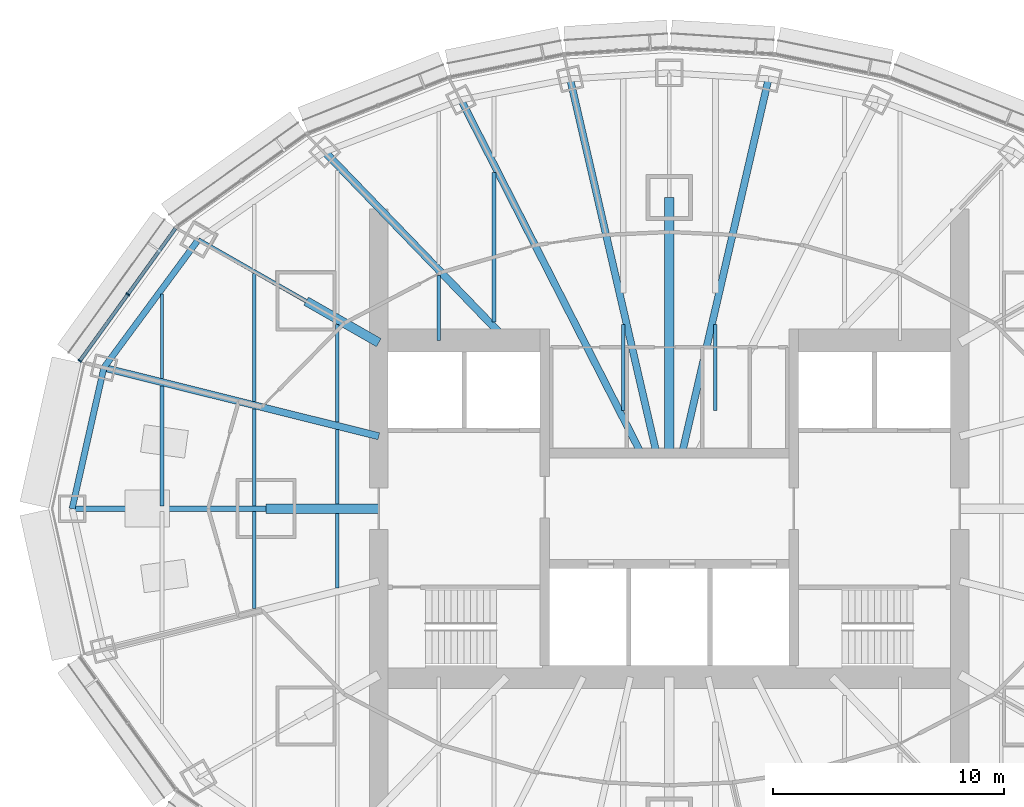
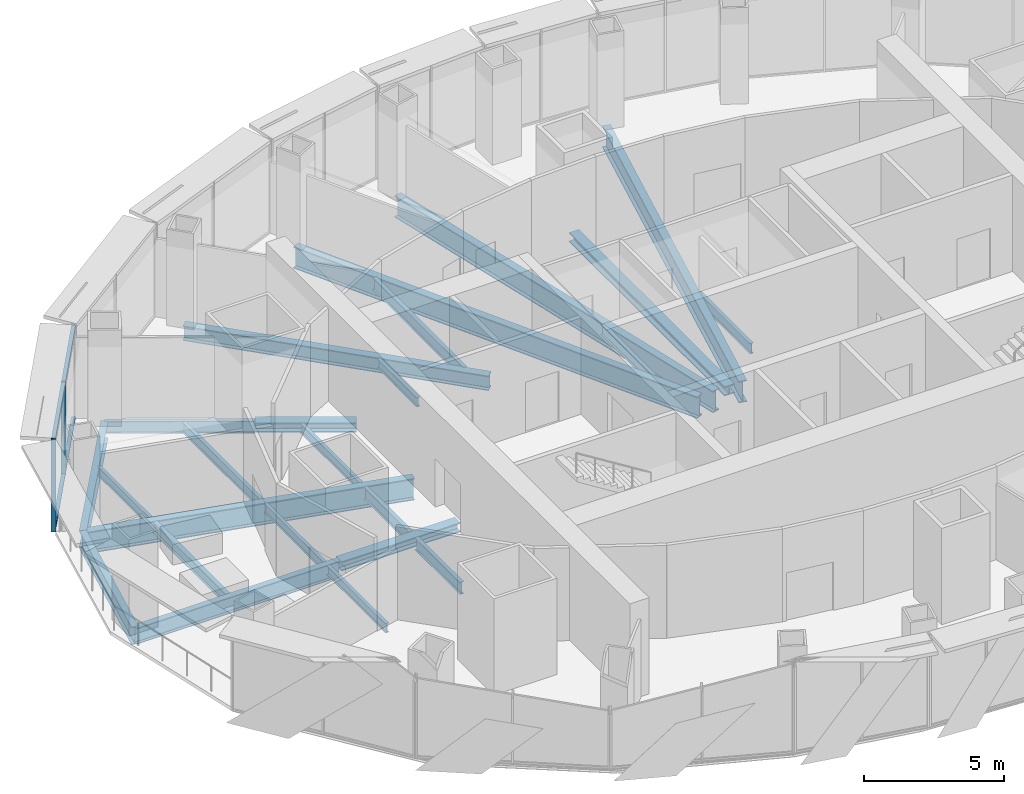
# One storey, part 4 of 16: 24 beams, 6 members, 1 element without a shape of its own.
"""IFC4 building model written with IfcOpenShell, lengths in metres."""

from ifc_helpers import new_model, si_unit, direction, frame, origin, origin_2d, place, context, subcontext, project, spatial, rectangle, i_section, extrude, material, material_profile, profile_set, type_object, element, aggregate, save


model = new_model("IFC4")

# Units and contexts
model_context = context("Model", 3, precision=1e-05, world=origin(), true_north=direction((0.0, 1.0)))
body_context = subcontext(model_context, "Body", "Model", "MODEL_VIEW")
ifc_project = project(units=[si_unit("LENGTHUNIT", "METRE"), si_unit("AREAUNIT", "SQUARE_METRE"), si_unit("VOLUMEUNIT", "CUBIC_METRE"), si_unit("PLANEANGLEUNIT", "RADIAN"), si_unit("MASSUNIT", "GRAM", prefix="KILO")], contexts=[model_context])

# Site, building, storey
site_placement = place(None, origin())
site = spatial("IfcSite", under=ifc_project, at=site_placement, CompositionType="ELEMENT")
building_placement = place(site_placement, origin())
building = spatial("IfcBuilding", under=site, at=building_placement, Name="Lantaw Convention Tower", CompositionType="ELEMENT")
storey_placement = place(building_placement, frame((0.0, 0.0, 232.60009765625)))
storey = spatial("IfcBuildingStorey", under=building, at=storey_placement, Name="L54", CompositionType="ELEMENT", Elevation=232.60009765625)

# Beams
ifc_material_1 = material(Name="Steel ASTM A992", Category="steel")
ifc_material_profile_1 = material_profile(ifc_material_1, i_section(OverallWidth=0.2666015625, OverallDepth=0.76953125, WebThickness=0.015625, FlangeThickness=0.025390625, FilletRadius=0.0126953125, at=origin_2d()), Name="W30X132")
ifc_profile_set_1 = profile_set([ifc_material_profile_1], Name="Steel ASTM A992")
beam_type_1 = type_object("IfcBeamType", Name="Beam E W30X132", PredefinedType="SPANDREL", material=ifc_profile_set_1)
beam_1_placement = place(storey_placement, frame((-20.423095703125, 11.67041015625, -0.534912109375), z_axis=(-0.593639188853, -0.804731329984, 0.0), x_axis=(0.804731329984, -0.593639188853, 0.0)))
element("IfcBeam", 1, at=beam_1_placement, inside=storey, type_object=beam_type_1, Name="Edge beam 11", PredefinedType="SPANDREL", context=body_context, shape_type="SweptSolid", body=[
    extrude(i_section(OverallWidth=0.2666015625, OverallDepth=0.76953125, WebThickness=0.015625, FlangeThickness=0.025390625, FilletRadius=0.0126953125, at=origin_2d()), origin(), (0.0, 0.0, 1.0), 6.904541015625),
])
beam_2_placement = place(storey_placement, frame((-24.52197265625, 6.114013671875, -0.534912109375), z_axis=(-0.219857926596, -0.97553190215, 0.0), x_axis=(0.97553190215, -0.219857926596, 0.0)))
element("IfcBeam", 2, at=beam_2_placement, inside=storey, type_object=beam_type_1, Name="Edge beam 12", PredefinedType="SPANDREL", context=body_context, shape_type="SweptSolid", body=[
    extrude(i_section(OverallWidth=0.2666015625, OverallDepth=0.76953125, WebThickness=0.015625, FlangeThickness=0.025390625, FilletRadius=0.0126953125, at=origin_2d()), origin(), (0.0, 0.0, 1.0), 6.267333984375),
])
ifc_material_profile_2 = material_profile(ifc_material_1, i_section(OverallWidth=0.1650390625, OverallDepth=0.52587890625, WebThickness=0.0087890625, FlangeThickness=0.011474609375, FilletRadius=0.0126953125, at=origin_2d()), Name="W21X44")
ifc_profile_set_2 = profile_set([ifc_material_profile_2], Name="Steel ASTM A992")
beam_type_2 = type_object("IfcBeamType", Name="Beam G W21X44", PredefinedType="BEAM", material=ifc_profile_set_2)
beam_3_placement = place(storey_placement, frame((-15.75, 9.0, -0.4130859375), z_axis=(-0.868237559289, 0.496148708192, 0.0), x_axis=(-0.496148708192, -0.868237559289, 0.0)))
element("IfcBeam", 3, at=beam_3_placement, inside=storey, type_object=beam_type_2, Name="Floor girder on ray 11", PredefinedType="BEAM", context=body_context, shape_type="SweptSolid", body=[
    extrude(i_section(OverallWidth=0.1650390625, OverallDepth=0.52587890625, WebThickness=0.0087890625, FlangeThickness=0.011474609375, FilletRadius=0.0126953125, at=origin_2d()), origin(), (0.0, 0.0, 1.0), 5.38232421875),
])
ifc_material_profile_3 = material_profile(ifc_material_1, i_section(OverallWidth=0.32763671875, OverallDepth=0.64013671875, WebThickness=0.01904296875, FlangeThickness=0.033935546875, FilletRadius=0.0126953125, at=origin_2d()), Name="W24X176")
ifc_profile_set_3 = profile_set([ifc_material_profile_3], Name="Steel ASTM A992")
beam_type_3 = type_object("IfcBeamType", Name="Beam G W24X176", PredefinedType="BEAM", material=ifc_profile_set_3)
beam_4_placement = place(storey_placement, frame((-7.049560546875, 7.300048828125, -0.47021484375), z_axis=(-0.694657766726, 0.719340383356, 0.0), x_axis=(-0.719340383356, -0.694657766726, 0.0)))
element("IfcBeam", 4, at=beam_4_placement, inside=storey, type_object=beam_type_3, Name="Floor girder on ray 10", PredefinedType="BEAM", context=body_context, shape_type="SweptSolid", body=[
    extrude(i_section(OverallWidth=0.32763671875, OverallDepth=0.64013671875, WebThickness=0.01904296875, FlangeThickness=0.033935546875, FilletRadius=0.0126953125, at=origin_2d()), origin(), (0.0, 0.0, 1.0), 11.364990234375),
])
ifc_material_profile_4 = material_profile(ifc_material_1, i_section(OverallWidth=0.25390625, OverallDepth=0.700927734375, WebThickness=0.015380859375, FlangeThickness=0.02783203125, FilletRadius=0.01513671875, at=origin_2d()), Name="W27X129")
ifc_profile_set_4 = profile_set([ifc_material_profile_4], Name="Steel ASTM A992")
beam_type_4 = type_object("IfcBeamType", Name="Beam G W27X129", PredefinedType="BEAM", material=ifc_profile_set_4)
beam_5_placement = place(storey_placement, frame((-17.5, 0.0, -0.500732421875), z_axis=(-1.0, 0.0, 0.0), x_axis=(0.0, -1.0, 0.0)))
element("IfcBeam", 5, at=beam_5_placement, inside=storey, type_object=beam_type_4, Name="Floor girder on ray 13", PredefinedType="BEAM", context=body_context, shape_type="SweptSolid", body=[
    extrude(i_section(OverallWidth=0.25390625, OverallDepth=0.700927734375, WebThickness=0.015380859375, FlangeThickness=0.02783203125, FilletRadius=0.01513671875, at=origin_2d()), origin(), (0.0, 0.0, 1.0), 8.39990234375),
])
ifc_material_profile_5 = material_profile(ifc_material_1, i_section(OverallWidth=0.307373046875, OverallDepth=0.9423828125, WebThickness=0.022216796875, FlangeThickness=0.039794921875, FilletRadius=0.0126953125, at=origin_2d()), Name="W36X232")
ifc_profile_set_5 = profile_set([ifc_material_profile_5], Name="Steel ASTM A992")
beam_type_5 = type_object("IfcBeamType", Name="Beam G W36X232", PredefinedType="BEAM", material=ifc_profile_set_5)
for number, where, z_axis, x_axis, name in (
    (6, (0.55419921875, 2.39990234375, -0.621337890625), (0.224948287002, 0.974370703672, 0.0), (-0.974370703672, 0.224948287002, 0.0), "Floor girder on ray 6"),
    (7, (-0.55419921875, 2.39990234375, -0.621337890625), (-0.224948287002, 0.974370703672, 0.0), (-0.974370703672, -0.224948287002, 0.0), "Floor girder on ray 8"),
):
    element("IfcBeam", number, at=place(storey_placement, frame(where, z_axis=z_axis, x_axis=x_axis)), inside=storey, type_object=beam_type_5, Name=name, PredefinedType="BEAM", context=body_context, shape_type="SweptSolid", body=[
        extrude(i_section(OverallWidth=0.307373046875, OverallDepth=0.9423828125, WebThickness=0.022216796875, FlangeThickness=0.039794921875, FilletRadius=0.0126953125, at=origin_2d()), origin(), (0.0, 0.0, 1.0), 16.66943359375),
    ])
beam_6_placement = place(storey_placement, frame((-1.222900390625, 2.39990234375, -0.621337890625), z_axis=(-0.453988481463, 0.891007552549, 0.0), x_axis=(-0.891007552549, -0.453988481463, 0.0)))
element("IfcBeam", 8, at=beam_6_placement, inside=storey, type_object=beam_type_5, Name="Floor girder on ray 9", PredefinedType="BEAM", context=body_context, shape_type="SweptSolid", body=[
    extrude(i_section(OverallWidth=0.307373046875, OverallDepth=0.9423828125, WebThickness=0.022216796875, FlangeThickness=0.039794921875, FilletRadius=0.0126953125, at=origin_2d()), origin(), (0.0, 0.0, 1.0), 17.20703125),
])
beam_7_placement = place(storey_placement, frame((-12.60009765625, 3.1416015625, -0.621337890625), z_axis=(-0.970296589314, 0.241918434119, 0.0), x_axis=(-0.241918434119, -0.970296589314, 0.0)))
element("IfcBeam", 9, at=beam_7_placement, inside=storey, type_object=beam_type_5, Name="Floor girder on ray 12", PredefinedType="BEAM", context=body_context, shape_type="SweptSolid", body=[
    extrude(i_section(OverallWidth=0.307373046875, OverallDepth=0.9423828125, WebThickness=0.022216796875, FlangeThickness=0.039794921875, FilletRadius=0.0126953125, at=origin_2d()), origin(), (0.0, 0.0, 1.0), 12.286865234375),
])
ifc_material_profile_6 = material_profile(ifc_material_1, i_section(OverallWidth=0.40380859375, OverallDepth=0.406494140625, WebThickness=0.027099609375, FlangeThickness=0.043701171875, FilletRadius=0.01513671875, at=origin_2d()), Name="W14X233")
ifc_profile_set_6 = profile_set([ifc_material_profile_6], Name="Steel ASTM A992")
beam_type_6 = type_object("IfcBeamType", Name="Beam GM W14X233", PredefinedType="BEAM", material=ifc_profile_set_6)
beam_8_placement = place(storey_placement, frame((0.0, 2.39990234375, -0.353271484375), z_axis=(0.0, 1.0, 0.0), x_axis=(-1.0, 0.0, 0.0)))
element("IfcBeam", 10, at=beam_8_placement, inside=storey, type_object=beam_type_6, Name="Core link beam on ray 7", PredefinedType="BEAM", context=body_context, shape_type="SweptSolid", body=[
    extrude(i_section(OverallWidth=0.40380859375, OverallDepth=0.406494140625, WebThickness=0.027099609375, FlangeThickness=0.043701171875, FilletRadius=0.01513671875, at=origin_2d()), origin(), (0.0, 0.0, 1.0), 11.10009765625),
])
beam_9_placement = place(storey_placement, frame((-12.60009765625, 7.199951171875, -0.353271484375), z_axis=(-0.868230718294, 0.496160679428, 0.0), x_axis=(-0.496160679428, -0.868230718294, 0.0)))
element("IfcBeam", 11, at=beam_9_placement, inside=storey, type_object=beam_type_6, Name="Core link beam on ray 11", PredefinedType="BEAM", context=body_context, shape_type="SweptSolid", body=[
    extrude(i_section(OverallWidth=0.40380859375, OverallDepth=0.406494140625, WebThickness=0.027099609375, FlangeThickness=0.043701171875, FilletRadius=0.01513671875, at=origin_2d()), origin(), (0.0, 0.0, 1.0), 3.6279296875),
])
beam_10_placement = place(storey_placement, frame((-12.60009765625, 0.0, -0.353271484375), z_axis=(-1.0, 0.0, 0.0), x_axis=(0.0, -1.0, 0.0)))
element("IfcBeam", 12, at=beam_10_placement, inside=storey, type_object=beam_type_6, Name="Core link beam on ray 13", PredefinedType="BEAM", context=body_context, shape_type="SweptSolid", body=[
    extrude(i_section(OverallWidth=0.40380859375, OverallDepth=0.406494140625, WebThickness=0.027099609375, FlangeThickness=0.043701171875, FilletRadius=0.01513671875, at=origin_2d()), origin(), (0.0, 0.0, 1.0), 4.89990234375),
])
ifc_material_profile_7 = material_profile(ifc_material_1, i_section(OverallWidth=0.140380859375, OverallDepth=0.40380859375, WebThickness=0.007080078125, FlangeThickness=0.01123046875, FilletRadius=0.01025390625, at=origin_2d()), Name="W16X31")
ifc_profile_set_7 = profile_set([ifc_material_profile_7], Name="Steel ASTM A992")
beam_type_7 = type_object("IfcBeamType", Name="Beam J W16X31", PredefinedType="JOIST", material=ifc_profile_set_7)
beam_11_placement = place(storey_placement, frame((-22.0, 5.6435546875, -0.35205078125), z_axis=(0.0, 1.0, 0.0), x_axis=(-1.0, 0.0, 0.0)))
element("IfcBeam", 13, at=beam_11_placement, inside=storey, type_object=beam_type_7, Name="Floor joist", PredefinedType="JOIST", context=body_context, shape_type="SweptSolid", body=[
    extrude(i_section(OverallWidth=0.140380859375, OverallDepth=0.40380859375, WebThickness=0.007080078125, FlangeThickness=0.01123046875, FilletRadius=0.01025390625, at=origin_2d()), origin(), (0.0, 0.0, 1.0), 3.66455078125),
])
for number, where, z_axis, x_axis, name in (
    (14, (-18.0, -4.32958984375, -0.35205078125), (0.0, 1.0, 0.0), (-1.0, 0.0, 0.0), "Floor joist"),
    (15, (-18.0, 0.126953125, -0.35205078125), (0.0, 1.0, 0.0), (-1.0, 0.0, 0.0), "Floor joist"),
):
    element("IfcBeam", number, at=place(storey_placement, frame(where, z_axis=z_axis, x_axis=x_axis)), inside=storey, type_object=beam_type_7, Name=name, PredefinedType="JOIST", context=body_context, shape_type="SweptSolid", body=[
        extrude(i_section(OverallWidth=0.140380859375, OverallDepth=0.40380859375, WebThickness=0.007080078125, FlangeThickness=0.01123046875, FilletRadius=0.01025390625, at=origin_2d()), origin(), (0.0, 0.0, 1.0), 4.20263671875),
    ])
beam_12_placement = place(storey_placement, frame((-14.39990234375, 3.748779296875, -0.35205078125), z_axis=(0.0, 1.0, 0.0), x_axis=(-1.0, 0.0, 0.0)))
element("IfcBeam", 16, at=beam_12_placement, inside=storey, type_object=beam_type_7, Name="Floor joist", PredefinedType="JOIST", context=body_context, shape_type="SweptSolid", body=[
    extrude(i_section(OverallWidth=0.140380859375, OverallDepth=0.40380859375, WebThickness=0.007080078125, FlangeThickness=0.01123046875, FilletRadius=0.01025390625, at=origin_2d()), origin(), (0.0, 0.0, 1.0), 4.247314453125),
])
beam_13_placement = place(storey_placement, frame((-10.0, 7.300048828125, -0.35205078125), z_axis=(0.0, 1.0, 0.0), x_axis=(-1.0, 0.0, 0.0)))
element("IfcBeam", 17, at=beam_13_placement, inside=storey, type_object=beam_type_7, Name="Floor joist", PredefinedType="JOIST", context=body_context, shape_type="SweptSolid", body=[
    extrude(i_section(OverallWidth=0.140380859375, OverallDepth=0.40380859375, WebThickness=0.007080078125, FlangeThickness=0.01123046875, FilletRadius=0.01025390625, at=origin_2d()), origin(), (0.0, 0.0, 1.0), 2.8193359375),
])
ifc_material_profile_8 = material_profile(ifc_material_1, i_section(OverallWidth=0.15234375, OverallDepth=0.449462890625, WebThickness=0.007568359375, FlangeThickness=0.0107421875, FilletRadius=0.01025390625, at=origin_2d()), Name="W18X35")
ifc_profile_set_8 = profile_set([ifc_material_profile_8], Name="Steel ASTM A992")
beam_type_8 = type_object("IfcBeamType", Name="Beam J W18X35", PredefinedType="JOIST", material=ifc_profile_set_8)
beam_14_placement = place(storey_placement, frame((-18.0, 4.646240234375, -0.375), z_axis=(0.0, 1.0, 0.0), x_axis=(-1.0, 0.0, 0.0)))
element("IfcBeam", 18, at=beam_14_placement, inside=storey, type_object=beam_type_8, Name="Floor joist", PredefinedType="JOIST", context=body_context, shape_type="SweptSolid", body=[
    extrude(i_section(OverallWidth=0.15234375, OverallDepth=0.449462890625, WebThickness=0.007568359375, FlangeThickness=0.0107421875, FilletRadius=0.01025390625, at=origin_2d()), origin(), (0.0, 0.0, 1.0), 5.54443359375),
])
for number, where, z_axis, x_axis, name in (
    (19, (-2.0, 4.263671875, -0.375), (0.0, 1.0, 0.0), (-1.0, 0.0, 0.0), "Floor joist"),
    (20, (2.0, 4.263671875, -0.375), (0.0, 1.0, 0.0), (-1.0, 0.0, 0.0), "Floor joist"),
):
    element("IfcBeam", number, at=place(storey_placement, frame(where, z_axis=z_axis, x_axis=x_axis)), inside=storey, type_object=beam_type_8, Name=name, PredefinedType="JOIST", context=body_context, shape_type="SweptSolid", body=[
        extrude(i_section(OverallWidth=0.15234375, OverallDepth=0.449462890625, WebThickness=0.007568359375, FlangeThickness=0.0107421875, FilletRadius=0.01025390625, at=origin_2d()), origin(), (0.0, 0.0, 1.0), 3.716064453125),
    ])
ifc_material_profile_9 = material_profile(ifc_material_1, i_section(OverallWidth=0.1904296875, OverallDepth=0.457275390625, WebThickness=0.009033203125, FlangeThickness=0.014404296875, FilletRadius=0.01025390625, at=origin_2d()), Name="W18X50")
ifc_profile_set_9 = profile_set([ifc_material_profile_9], Name="Steel ASTM A992")
beam_type_9 = type_object("IfcBeamType", Name="Beam J W18X50", PredefinedType="JOIST", material=ifc_profile_set_9)
beam_15_placement = place(storey_placement, frame((-22.0, 0.126953125, -0.378662109375), z_axis=(0.0, 1.0, 0.0), x_axis=(-1.0, 0.0, 0.0)))
element("IfcBeam", 21, at=beam_15_placement, inside=storey, type_object=beam_type_9, Name="Floor joist", PredefinedType="JOIST", context=body_context, shape_type="SweptSolid", body=[
    extrude(i_section(OverallWidth=0.1904296875, OverallDepth=0.457275390625, WebThickness=0.009033203125, FlangeThickness=0.014404296875, FilletRadius=0.01025390625, at=origin_2d()), origin(), (0.0, 0.0, 1.0), 5.199951171875),
])
ifc_material_profile_10 = material_profile(ifc_material_1, i_section(OverallWidth=0.1650390625, OverallDepth=0.52587890625, WebThickness=0.0087890625, FlangeThickness=0.011474609375, FilletRadius=0.0126953125, at=origin_2d()), Name="W21X44")
ifc_profile_set_10 = profile_set([ifc_material_profile_10], Name="Steel ASTM A992")
beam_type_10 = type_object("IfcBeamType", Name="Beam J W21X44", PredefinedType="JOIST", material=ifc_profile_set_10)
for number, where, z_axis, x_axis, name in (
    (22, (-14.39990234375, -3.431884765625, -0.4130859375), (0.0, 1.0, 0.0), (-1.0, 0.0, 0.0), "Floor joist"),
    (23, (-14.39990234375, 0.201904296875, -0.4130859375), (0.0, 1.0, 0.0), (-1.0, 0.0, 0.0), "Floor joist"),
):
    element("IfcBeam", number, at=place(storey_placement, frame(where, z_axis=z_axis, x_axis=x_axis)), inside=storey, type_object=beam_type_10, Name=name, PredefinedType="JOIST", context=body_context, shape_type="SweptSolid", body=[
        extrude(i_section(OverallWidth=0.1650390625, OverallDepth=0.52587890625, WebThickness=0.0087890625, FlangeThickness=0.011474609375, FilletRadius=0.0126953125, at=origin_2d()), origin(), (0.0, 0.0, 1.0), 3.22998046875),
    ])
beam_16_placement = place(storey_placement, frame((-7.60009765625, 8.10595703125, -0.4130859375), z_axis=(0.0, 1.0, 0.0), x_axis=(-1.0, 0.0, 0.0)))
element("IfcBeam", 24, at=beam_16_placement, inside=storey, type_object=beam_type_10, Name="Floor joist", PredefinedType="JOIST", context=body_context, shape_type="SweptSolid", body=[
    extrude(i_section(OverallWidth=0.1650390625, OverallDepth=0.52587890625, WebThickness=0.0087890625, FlangeThickness=0.011474609375, FilletRadius=0.0126953125, at=origin_2d()), origin(), (0.0, 0.0, 1.0), 6.471435546875),
])

# Curtain wall, members
ifc_material_2 = material(Name="Aluminium framed curtain wall", Category="aluminium")
curtain_wall_type = type_object("IfcCurtainWallType", Name="Office curtain wall high rise, pale aluminium", PredefinedType="USERDEFINED", material=ifc_material_2)
curtain_wall_placement = place(storey_placement, origin())
curtain_wall = element("IfcCurtainWall", 25, at=curtain_wall_placement, inside=storey, type_object=curtain_wall_type, Name="Office curtain wall high rise, pale aluminium L54", ObjectType="UNITISED CURTAIN WALL", PredefinedType="USERDEFINED")
ifc_material_3 = material(Name="Aluminium 6063-T6", Category="aluminium")
ifc_material_profile_11 = material_profile(ifc_material_3, rectangle(XDim=0.179931640625, YDim=0.06494140625, at=origin_2d()), Name="CW-O2 mullion 65x180")
ifc_profile_set_11 = profile_set([ifc_material_profile_11], Name="Aluminium 6063-T6")
member_type_1 = type_object("IfcMemberType", Name="CW-O2 mullion 65x180", PredefinedType="MULLION", material=ifc_profile_set_11)
member_1_placement = place(storey_placement, frame((-23.483642578125, 9.298095703125, 0.0), z_axis=(0.0, 0.0, 1.0), x_axis=(0.810919559405, -0.585157643865, 0.0)))
member_1 = element("IfcMember", 26, at=member_1_placement, type_object=member_type_1, Name="CW-O2 mullion 2", PredefinedType="MULLION", context=body_context, shape_type="SweptSolid", body=[
    extrude(rectangle(XDim=0.179931640625, YDim=0.06494140625, at=origin_2d()), origin(), (0.0, 0.0, 1.0), 4.0498046875),
])
member_2_placement = place(storey_placement, frame((-25.5703125, 6.406494140625, 0.0), z_axis=(0.0, 0.0, 1.0), x_axis=(0.810919559405, -0.585157643865, 0.0)))
member_2 = element("IfcMember", 27, at=member_2_placement, type_object=member_type_1, Name="CW-O2 mullion 3", PredefinedType="MULLION", context=body_context, shape_type="SweptSolid", body=[
    extrude(rectangle(XDim=0.179931640625, YDim=0.06494140625, at=origin_2d()), origin(), (0.0, 0.0, 1.0), 4.0498046875),
])
ifc_material_profile_12 = material_profile(ifc_material_3, rectangle(XDim=0.14990234375, YDim=0.06494140625, at=origin_2d()), Name="CW-O2 transom 65x150")
ifc_profile_set_12 = profile_set([ifc_material_profile_12], Name="Aluminium 6063-T6")
member_type_2 = type_object("IfcMemberType", Name="CW-O2 transom 65x150", PredefinedType="USERDEFINED", material=ifc_profile_set_12)
member_3_placement = place(storey_placement, frame((-21.416259765625, 12.163330078125, 0.032470703125), z_axis=(-0.585123825205, -0.810943961798, 0.0), x_axis=(0.810943961798, -0.585123825205, 0.0)))
member_3 = element("IfcMember", 28, at=member_3_placement, type_object=member_type_2, Name="CW-O2 transom 1.1", ObjectType="TRANSOM", PredefinedType="USERDEFINED", context=body_context, shape_type="SweptSolid", body=[
    extrude(rectangle(XDim=0.14990234375, YDim=0.06494140625, at=origin_2d()), origin(), (0.0, 0.0, 1.0), 3.500732421875),
])
member_4_placement = place(storey_placement, frame((-21.416259765625, 12.163330078125, 4.017333984375), z_axis=(-0.585123825205, -0.810943961798, 0.0), x_axis=(0.810943961798, -0.585123825205, 0.0)))
member_4 = element("IfcMember", 29, at=member_4_placement, type_object=member_type_2, Name="CW-O2 transom 1.2", ObjectType="TRANSOM", PredefinedType="USERDEFINED", context=body_context, shape_type="SweptSolid", body=[
    extrude(rectangle(XDim=0.14990234375, YDim=0.06494140625, at=origin_2d()), origin(), (0.0, 0.0, 1.0), 3.500732421875),
])
member_5_placement = place(storey_placement, frame((-23.502685546875, 9.271728515625, 0.032470703125), z_axis=(-0.585169685931, -0.810910869743, 0.0), x_axis=(0.810910869743, -0.585169685931, 0.0)))
member_5 = element("IfcMember", 30, at=member_5_placement, type_object=member_type_2, Name="CW-O2 transom 2.1", ObjectType="TRANSOM", PredefinedType="USERDEFINED", context=body_context, shape_type="SweptSolid", body=[
    extrude(rectangle(XDim=0.14990234375, YDim=0.06494140625, at=origin_2d()), origin(), (0.0, 0.0, 1.0), 3.500732421875),
])
member_6_placement = place(storey_placement, frame((-23.502685546875, 9.271728515625, 4.017333984375), z_axis=(-0.585169685931, -0.810910869743, 0.0), x_axis=(0.810910869743, -0.585169685931, 0.0)))
member_6 = element("IfcMember", 31, at=member_6_placement, type_object=member_type_2, Name="CW-O2 transom 2.2", ObjectType="TRANSOM", PredefinedType="USERDEFINED", context=body_context, shape_type="SweptSolid", body=[
    extrude(rectangle(XDim=0.14990234375, YDim=0.06494140625, at=origin_2d()), origin(), (0.0, 0.0, 1.0), 3.500732421875),
])
aggregate(curtain_wall, [member_1, member_2, member_3, member_4, member_5, member_6])

save(model, "model.ifc")
